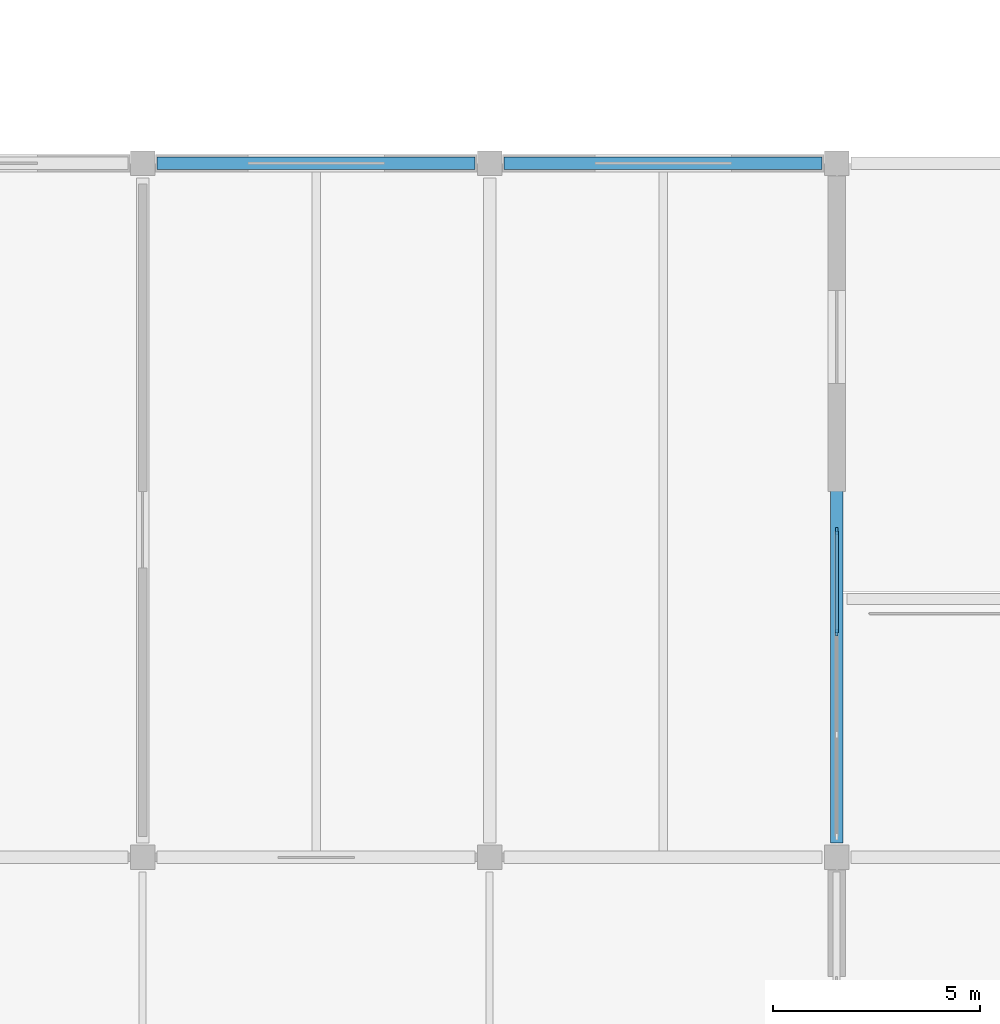
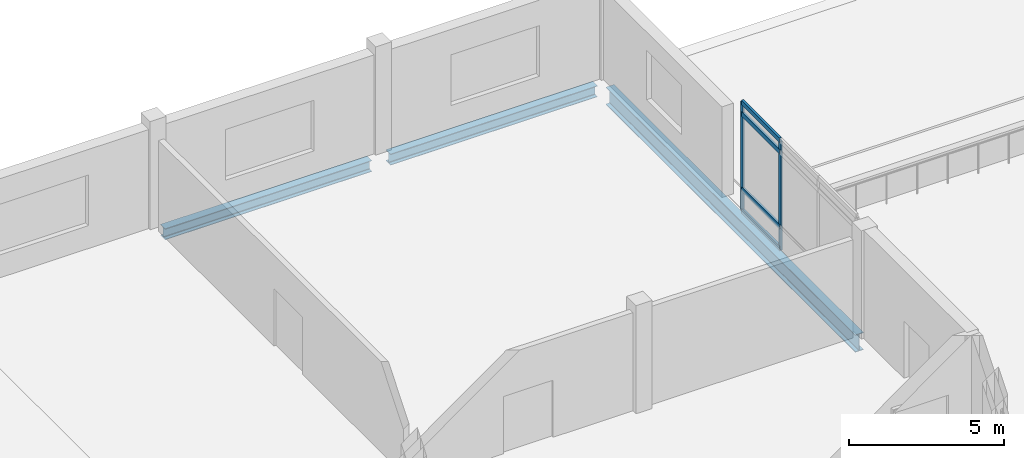
# One storey, part 26 of 81: 6 members, 3 beams, 1 element without a shape of its own.
"""IFC4 building model written with IfcOpenShell, lengths in metres."""

from ifc_helpers import new_model, si_unit, direction, frame, origin, origin_2d, place, context, subcontext, project, spatial, rectangle, i_section, extrude, material, layer, layer_set, material_profile, profile_set, type_object, element, aggregate, save


model = new_model("IFC4")

# Units and contexts
model_context = context("Model", 3, precision=1e-05, world=origin(), true_north=direction((0.0, 1.0)))
body_context = subcontext(model_context, "Body", "Model", "MODEL_VIEW")
ifc_project = project(units=[si_unit("LENGTHUNIT", "METRE"), si_unit("AREAUNIT", "SQUARE_METRE"), si_unit("VOLUMEUNIT", "CUBIC_METRE"), si_unit("PLANEANGLEUNIT", "RADIAN"), si_unit("MASSUNIT", "GRAM", prefix="KILO")], contexts=[model_context])

# Site, building, storey
site_placement = place(None, origin())
site = spatial("IfcSite", under=ifc_project, at=site_placement, CompositionType="ELEMENT")
building_placement = place(site_placement, origin())
building = spatial("IfcBuilding", under=site, at=building_placement, Name="Qawsi Khor Wholesale Market", CompositionType="ELEMENT")
storey_placement = place(building_placement, frame((0.0, 0.0, 16.199951171875)))
storey = spatial("IfcBuildingStorey", under=building, at=storey_placement, Name="L03", CompositionType="ELEMENT", Elevation=16.199951171875)

# Curtain wall, members
ifc_material_1 = material(Name="Aluminium Anodised Bronze", Category="aluminium")
ifc_layer = layer(ifc_material_1, 0.169921875, Name="Aluminium Anodised Bronze")
ifc_layer_set = layer_set([ifc_layer], Name="Aluminium Anodised Bronze")
curtain_wall_type = type_object("IfcCurtainWallType", Name="Central Court Gallery Curtain Wall CW-05", PredefinedType="NOTDEFINED", material=ifc_layer_set)
curtain_wall_placement = place(storey_placement, origin())
curtain_wall = element("IfcCurtainWall", 1, at=curtain_wall_placement, inside=storey, type_object=curtain_wall_type, Name="Curtain wall CW-CW-05-L03-071", PredefinedType="NOTDEFINED")
ifc_material_profile_1 = material_profile(ifc_material_1, rectangle(XDim=0.06005859375, YDim=0.159912109375, at=origin_2d()), Name="ALU MULLION 60x160")
ifc_profile_set_1 = profile_set([ifc_material_profile_1], Name="Aluminium Anodised Bronze")
member_type_1 = type_object("IfcMemberType", Name="Curtain Wall Mullion CW-05 ALU MULLION 60x160", PredefinedType="MULLION", material=ifc_profile_set_1)
member_1_placement = place(storey_placement, frame((126.0, 30.63330078125, -0.02001953125), z_axis=(0.0, 0.0, 1.0), x_axis=(1.0, 0.0, 0.0)))
member_1 = element("IfcMember", 2, at=member_1_placement, type_object=member_type_1, Name="Mullion CW-CW-05-L03-071-M02", PredefinedType="MULLION", context=body_context, shape_type="SweptSolid", body=[
    extrude(rectangle(XDim=0.06005859375, YDim=0.159912109375, at=origin_2d()), origin(), (0.0, 0.0, 1.0), 4.280029296875),
])
member_2_placement = place(storey_placement, frame((126.0, 33.10009765625, -0.02001953125), z_axis=(0.0, 0.0, 1.0), x_axis=(1.0, 0.0, 0.0)))
member_2 = element("IfcMember", 3, at=member_2_placement, type_object=member_type_1, Name="Mullion CW-CW-05-L03-071-M03", PredefinedType="MULLION", context=body_context, shape_type="SweptSolid", body=[
    extrude(rectangle(XDim=0.06005859375, YDim=0.159912109375, at=origin_2d()), origin(), (0.0, 0.0, 1.0), 4.280029296875),
])
ifc_material_profile_2 = material_profile(ifc_material_1, rectangle(XDim=0.080078125, YDim=0.179931640625, at=origin_2d()), Name="ALU TRANSOM 80x180")
ifc_profile_set_2 = profile_set([ifc_material_profile_2], Name="Aluminium Anodised Bronze")
member_type_2 = type_object("IfcMemberType", Name="Curtain Wall Transom CW-05 ALU TRANSOM 80x180", PredefinedType="USERDEFINED", material=ifc_profile_set_2)
member_3_placement = place(storey_placement, frame((126.0, 30.63330078125, 0.0), z_axis=(0.0, 1.0, 0.0), x_axis=(-1.0, 0.0, 0.0)))
member_3 = element("IfcMember", 4, at=member_3_placement, type_object=member_type_2, Name="Transom CW-CW-05-L03-071-T0_02", ObjectType="TRANSOM", PredefinedType="USERDEFINED", context=body_context, shape_type="SweptSolid", body=[
    extrude(rectangle(XDim=0.080078125, YDim=0.179931640625, at=origin_2d()), origin(), (0.0, 0.0, 1.0), 2.466796875),
])
member_4_placement = place(storey_placement, frame((126.0, 30.63330078125, 0.85009765625), z_axis=(0.0, 1.0, 0.0), x_axis=(-1.0, 0.0, 0.0)))
member_4 = element("IfcMember", 5, at=member_4_placement, type_object=member_type_2, Name="Transom CW-CW-05-L03-071-T1_02", ObjectType="TRANSOM", PredefinedType="USERDEFINED", context=body_context, shape_type="SweptSolid", body=[
    extrude(rectangle(XDim=0.080078125, YDim=0.179931640625, at=origin_2d()), origin(), (0.0, 0.0, 1.0), 2.466796875),
])
member_5_placement = place(storey_placement, frame((126.0, 30.63330078125, 3.81005859375), z_axis=(0.0, 1.0, 0.0), x_axis=(-1.0, 0.0, 0.0)))
member_5 = element("IfcMember", 6, at=member_5_placement, type_object=member_type_2, Name="Transom CW-CW-05-L03-071-T2_02", ObjectType="TRANSOM", PredefinedType="USERDEFINED", context=body_context, shape_type="SweptSolid", body=[
    extrude(rectangle(XDim=0.080078125, YDim=0.179931640625, at=origin_2d()), origin(), (0.0, 0.0, 1.0), 2.466796875),
])
member_6_placement = place(storey_placement, frame((126.0, 30.63330078125, 4.260009765625), z_axis=(0.0, 1.0, 0.0), x_axis=(-1.0, 0.0, 0.0)))
member_6 = element("IfcMember", 7, at=member_6_placement, type_object=member_type_2, Name="Transom CW-CW-05-L03-071-T3_02", ObjectType="TRANSOM", PredefinedType="USERDEFINED", context=body_context, shape_type="SweptSolid", body=[
    extrude(rectangle(XDim=0.080078125, YDim=0.179931640625, at=origin_2d()), origin(), (0.0, 0.0, 1.0), 2.466796875),
])
aggregate(curtain_wall, [member_1, member_2, member_3, member_4, member_5, member_6])

# Beams
ifc_material_2 = material(Name="Steel S355", Category="steel")
ifc_material_profile_3 = material_profile(ifc_material_2, i_section(OverallWidth=0.300048828125, OverallDepth=0.43994140625, WebThickness=0.011474609375, FlangeThickness=0.02099609375, FilletRadius=0.027099609375, at=origin_2d()), Name="HEA 450")
ifc_profile_set_3 = profile_set([ifc_material_profile_3], Name="Steel S355")
beam_type_1 = type_object("IfcBeamType", Name="Primary Girder HEA 450", PredefinedType="BEAM", material=ifc_profile_set_3)
for number, where, z_axis, x_axis, name in (
    (8, (109.550048828125, 42.0, -0.5), (1.0, 0.0, 0.0), (0.0, 1.0, 0.0), "BM-X-L03-13_+05"),
    (9, (117.949951171875, 42.0, -0.5), (1.0, 0.0, 0.0), (0.0, 1.0, 0.0), "BM-X-L03-14_+05"),
):
    element("IfcBeam", number, at=place(storey_placement, frame(where, z_axis=z_axis, x_axis=x_axis)), inside=storey, type_object=beam_type_1, Name=name, PredefinedType="BEAM", context=body_context, shape_type="SweptSolid", body=[
        extrude(i_section(OverallWidth=0.300048828125, OverallDepth=0.43994140625, WebThickness=0.011474609375, FlangeThickness=0.02099609375, FilletRadius=0.027099609375, at=origin_2d()), origin(), (0.0, 0.0, 1.0), 7.699951171875),
    ])
ifc_material_profile_4 = material_profile(ifc_material_2, i_section(OverallWidth=0.300048828125, OverallDepth=0.68994140625, WebThickness=0.014404296875, FlangeThickness=0.027099609375, FilletRadius=0.027099609375, at=origin_2d()), Name="HEA 700")
ifc_profile_set_4 = profile_set([ifc_material_profile_4], Name="Steel S355")
beam_type_2 = type_object("IfcBeamType", Name="Primary Girder HEA 700", PredefinedType="BEAM", material=ifc_profile_set_4)
beam_placement = place(storey_placement, frame((126.0, 25.550048828125, -0.625), z_axis=(0.0, 1.0, 0.0), x_axis=(-1.0, 0.0, 0.0)))
element("IfcBeam", 10, at=beam_placement, inside=storey, type_object=beam_type_2, Name="BM-YL-L03-15_+03", PredefinedType="BEAM", context=body_context, shape_type="SweptSolid", body=[
    extrude(i_section(OverallWidth=0.300048828125, OverallDepth=0.68994140625, WebThickness=0.014404296875, FlangeThickness=0.027099609375, FilletRadius=0.027099609375, at=origin_2d()), origin(), (0.0, 0.0, 1.0), 16.099853515625),
])

save(model, "model.ifc")
